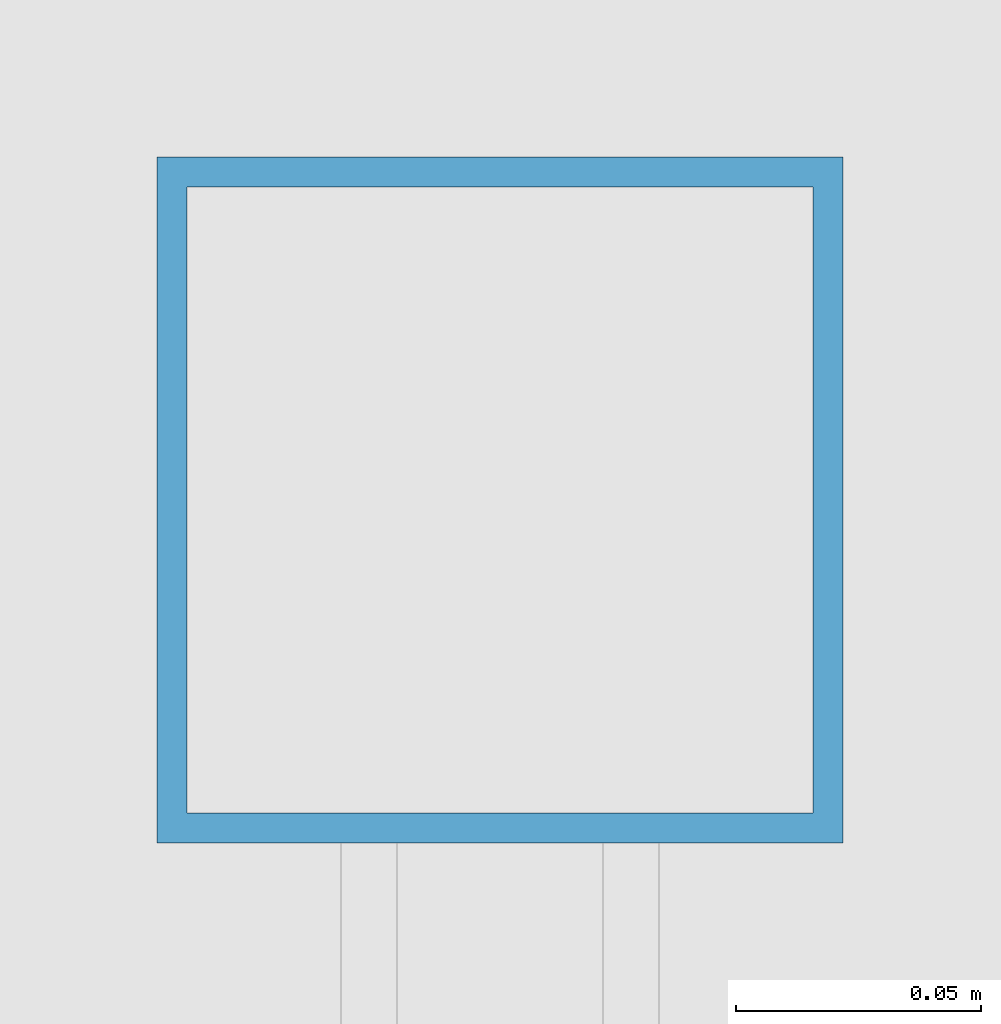
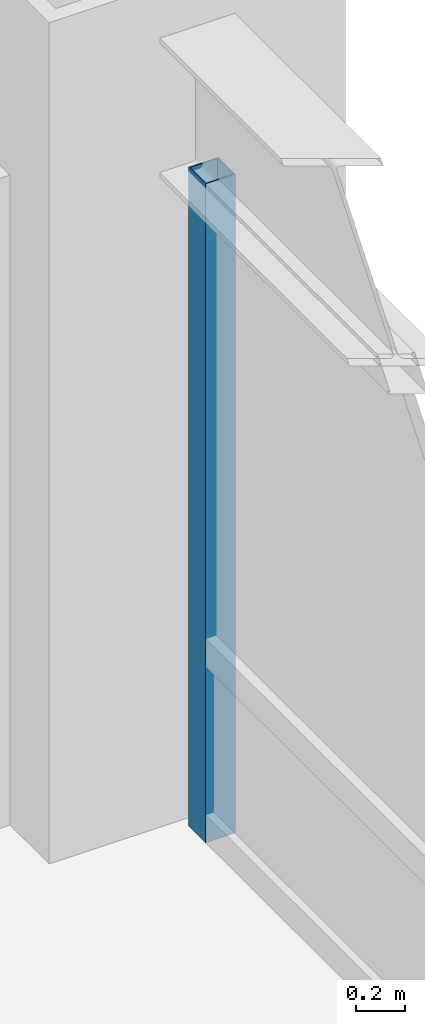
# One storey, part 16 of 28: 1 member, 1 element without a shape of its own.
"""IFC4 building model written with IfcOpenShell, lengths in metres."""

from ifc_helpers import new_model, si_unit, direction, frame, origin, origin_2d, place, context, subcontext, project, spatial, hollow_rectangle, extrude, source, transform, mapped, material, material_profile, profile_set, type_object, element, aggregate, save


model = new_model("IFC4")

# Units and contexts
model_context = context("Model", 3, precision=1e-05, world=origin(), true_north=direction((0.0, 1.0)))
body_context = subcontext(model_context, "Body", "Model", "MODEL_VIEW")
ifc_project = project(units=[si_unit("LENGTHUNIT", "METRE"), si_unit("AREAUNIT", "SQUARE_METRE"), si_unit("VOLUMEUNIT", "CUBIC_METRE"), si_unit("PLANEANGLEUNIT", "RADIAN"), si_unit("MASSUNIT", "GRAM", prefix="KILO")], contexts=[model_context])

# Site, building, storey
site_placement = place(None, origin())
site = spatial("IfcSite", under=ifc_project, at=site_placement, CompositionType="ELEMENT")
building_placement = place(site_placement, origin())
building = spatial("IfcBuilding", under=site, at=building_placement, Name="Khorayat Bourse Tower", CompositionType="ELEMENT")
storey_placement = place(building_placement, frame((0.0, 0.0, 83.0)))
storey = spatial("IfcBuildingStorey", under=building, at=storey_placement, Name="L18", CompositionType="ELEMENT", Elevation=83.0)

# Curtain wall, member
ifc_material = material(Name="Aluminium EN AW-6063 T6", Category="aluminium")
curtain_wall_type = type_object("IfcCurtainWallType", Name="CW-SYS-02", PredefinedType="NOTDEFINED", material=ifc_material)
curtain_wall_placement = place(storey_placement, origin())
curtain_wall = element("IfcCurtainWall", 1, at=curtain_wall_placement, inside=storey, type_object=curtain_wall_type, Name="L18 Curtain Wall CW-L18-E1", PredefinedType="NOTDEFINED")
ifc_material_profile = material_profile(ifc_material, hollow_rectangle(XDim=0.139892578125, YDim=0.139892578125, WallThickness=0.006103515625, at=origin_2d()), Name="ALU 140x140x6")
ifc_profile_set = profile_set([ifc_material_profile], Name="Aluminium EN AW-6063 T6")
member_type = type_object("IfcMemberType", Name="CWM-VERT-140", PredefinedType="MULLION", material=ifc_profile_set)
shared_shape = source(origin(), body_context, "Body", "SweptSolid", [
    extrude(hollow_rectangle(XDim=0.139892578125, YDim=0.139892578125, WallThickness=0.006103515625, at=origin_2d()), origin(), (0.0, 0.0, 1.0), 3.2900390625),
])
member_placement = place(storey_placement, frame((32.0, 27.679931640625, 0.0), z_axis=(0.0, 0.0, 1.0), x_axis=(-1.0, 0.0, 0.0)))
member = element("IfcMember", 2, at=member_placement, type_object=member_type, Name="CW-L18-E1 Vertical Mullion 3", PredefinedType="MULLION", context=body_context, shape_type="MappedRepresentation", body=[
    mapped(shared_shape, transform((0.0, 0.0, 0.0), scale=1.0)),
])
aggregate(curtain_wall, [member])

save(model, "model.ifc")
